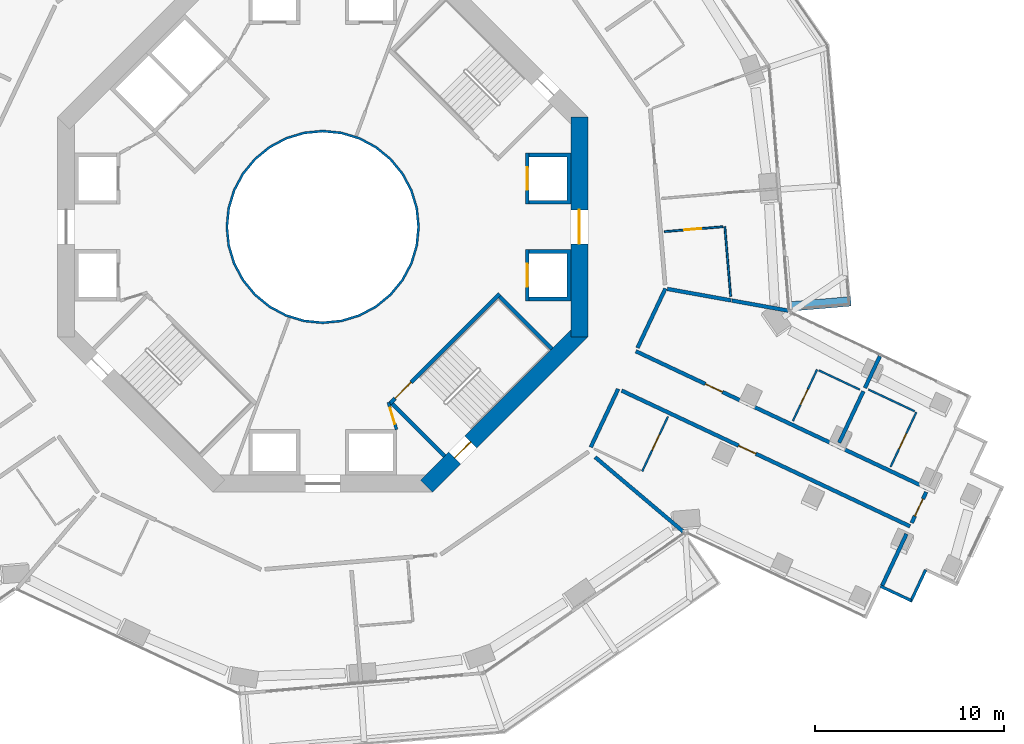
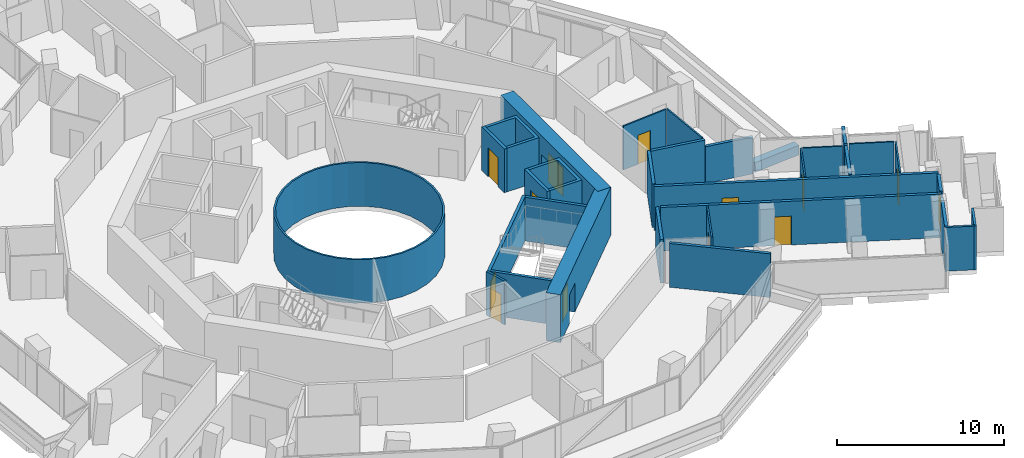
# One storey, part 20 of 26: 32 walls, 13 doors, 13 openings.
"""IFC4 building model written with IfcOpenShell, lengths in metres."""

from ifc_helpers import new_model, si_unit, direction, frame, frame_2d, origin, place, context, subcontext, project, spatial, polyline, rectangle, outline, extrude, material, layer, layer_set, type_object, element, fill, save


model = new_model("IFC4")

# Units and contexts
model_context = context("Model", 3, precision=1e-05, world=origin(), true_north=direction((0.0, 1.0)))
body_context = subcontext(model_context, "Body", "Model", "MODEL_VIEW")
ifc_project = project(units=[si_unit("LENGTHUNIT", "METRE"), si_unit("AREAUNIT", "SQUARE_METRE"), si_unit("VOLUMEUNIT", "CUBIC_METRE"), si_unit("PLANEANGLEUNIT", "RADIAN"), si_unit("MASSUNIT", "GRAM", prefix="KILO")], contexts=[model_context])

# Site, building, storey
site_placement = place(None, origin())
site = spatial("IfcSite", under=ifc_project, at=site_placement, CompositionType="ELEMENT")
building_placement = place(site_placement, origin())
building = spatial("IfcBuilding", under=site, at=building_placement, Name="Verdalira Terraces Hotel", CompositionType="ELEMENT")
storey_placement = place(building_placement, frame((0.0, 0.0, 53.0)))
storey = spatial("IfcBuildingStorey", under=building, at=storey_placement, Name="L11", CompositionType="ELEMENT", Elevation=53.0)

# Walls
ifc_material_1 = material(Name="Fire-resisting glass EI 180", Category="glass")
ifc_layer_1 = layer(ifc_material_1, 0.1201171875)
ifc_layer_set_1 = layer_set([ifc_layer_1], Name="Atrium fire screen 120 mm")
wall_type_1 = type_object("IfcWallType", Name="Atrium fire screen 120 mm", PredefinedType="SOLIDWALL", material=ifc_layer_set_1)
wall_1_placement = place(storey_placement, origin())
element("IfcWall", 1, at=wall_1_placement, inside=storey, type_object=wall_type_1, Name="Atrium fire screen", PredefinedType="SOLIDWALL", context=body_context, shape_type="SweptSolid", body=[
    extrude(outline(polyline([(5.021484, -0.998779), (4.730225, -1.959229), (4.25708, -2.844482), (3.620361, -3.620361), (2.844482, -4.25708), (1.959229, -4.730225), (0.998779, -5.021484), (0.0, -5.120117), (-0.998779, -5.021484), (-1.959229, -4.730225), (-2.844482, -4.25708), (-3.620361, -3.620361), (-4.25708, -2.844482), (-4.730225, -1.959229), (-5.021484, -0.998779), (-5.120117, 0.0), (-5.021484, 0.998779), (-4.730225, 1.959229), (-4.25708, 2.844482), (-3.620361, 3.620361), (-2.844482, 4.25708), (-1.959229, 4.730225), (-0.998779, 5.021484), (0.0, 5.120117), (0.998779, 5.021484), (1.959229, 4.730225), (2.844482, 4.25708), (3.620361, 3.620361), (4.25708, 2.844482), (4.730225, 1.959229), (5.021484, 0.998779), (5.120117, 0.0), (5.021484, -0.998779)]), holes=[polyline([(4.903809, 0.975586), (4.619385, 1.91333), (4.157227, 2.777832), (3.5354, 3.5354), (2.777832, 4.157227), (1.91333, 4.619385), (0.975586, 4.903809), (0.0, 5.0), (-0.975586, 4.903809), (-1.91333, 4.619385), (-2.777832, 4.157227), (-3.5354, 3.5354), (-4.157227, 2.777832), (-4.619385, 1.91333), (-4.903809, 0.975586), (-5.0, 0.0), (-4.903809, -0.975586), (-4.619385, -1.91333), (-4.157227, -2.777832), (-3.5354, -3.5354), (-2.777832, -4.157227), (-1.91333, -4.619385), (-0.975586, -4.903809), (0.0, -5.0), (0.975586, -4.903809), (1.91333, -4.619385), (2.777832, -4.157227), (3.5354, -3.5354), (4.157227, -2.777832), (4.619385, -1.91333), (4.903809, -0.975586), (5.0, 0.0), (4.903809, 0.975586)])]), origin(), (0.0, 0.0, 1.0), 3.189941),
])
ifc_material_2 = material(Name="Concrete C40", Category="concrete")
ifc_layer_2 = layer(ifc_material_2, 0.5)
ifc_layer_set_2 = layer_set([ifc_layer_2], Name="Balcony planter trough with tree")
wall_type_2 = type_object("IfcWallType", Name="Balcony planter trough with tree", PredefinedType="SOLIDWALL", material=ifc_layer_set_2)
wall_2_placement = place(storey_placement, frame((24.697266, -4.197998, 0.0), z_axis=(0.0, 0.0, 1.0), x_axis=(0.996495576, 0.083645489, 0.0)))
element("IfcWall", 2, at=wall_2_placement, inside=storey, type_object=wall_type_2, Name="Balcony planter", PredefinedType="SOLIDWALL", context=body_context, shape_type="SweptSolid", body=[
    extrude(rectangle(XDim=3.198975, YDim=0.5, at=frame_2d((1.599609, 0.0))), origin(), (0.0, 0.0, 1.0), 0.699951),
])

# Wall, opening, door
ifc_material_3 = material(Name="Moisture-resistant gypsum board partition")
ifc_layer_3 = layer(ifc_material_3, 0.10009765625)
ifc_layer_set_3 = layer_set([ifc_layer_3], Name="Bathroom partition 100 mm")
wall_type_3 = type_object("IfcWallType", Name="Bathroom partition 100 mm", PredefinedType="PARTITIONING", material=ifc_layer_set_3)
wall_3_placement = place(storey_placement, frame((16.866699, -12.910156, 0.0), z_axis=(0.0, 0.0, 1.0), x_axis=(0.425786014, 0.904823889, 0.0)))
wall_3 = element("IfcWall", 3, at=wall_3_placement, inside=storey, type_object=wall_type_3, Name="Bathroom partition", PredefinedType="PARTITIONING", context=body_context, shape_type="SweptSolid", body=[
    extrude(rectangle(XDim=3.200195, YDim=0.100098, at=frame_2d((1.600098, 0.0))), origin(), (0.0, 0.0, 1.0), 3.189941),
])
opening_1_placement = place(wall_3_placement, frame((1.25, 0.0, 0.0)))
opening_1 = element("IfcOpeningElement", 4, at=opening_1_placement, cuts=wall_3, Name="Opening L11-126", PredefinedType="OPENING", context=body_context, shape_type="SweptSolid", body=[
    extrude(rectangle(XDim=0.899902, YDim=2.100098, at=frame_2d((0.449951, 1.050049))), frame((0.0, 0.060059, 0.0), z_axis=(0.0, -1.0, 0.0), x_axis=(1.0, 0.0, 0.0)), (0.0, 0.0, 1.0), 0.120117),
])
ifc_material_4 = material(Name="Timber door", Category="wood")
door_type_1 = type_object("IfcDoorType", Name="Bathroom door 900 x 2100", OperationType="NOTDEFINED", PredefinedType="DOOR", material=ifc_material_4)
door_1_placement = place(opening_1_placement, origin())
door_1 = element("IfcDoor", 5, at=door_1_placement, inside=storey, type_object=door_type_1, Name="Bathroom door 1111", OperationType="SINGLE_SWING_LEFT", OverallHeight=2.10009765625, OverallWidth=0.89990234375, PredefinedType="DOOR", context=body_context, shape_type="SweptSolid", body=[
    extrude(rectangle(XDim=0.899902, YDim=2.100098, at=frame_2d((0.449951, 1.050049))), frame((0.0, 0.024902, 0.0), z_axis=(0.0, -1.0, 0.0), x_axis=(1.0, 0.0, 0.0)), (0.0, 0.0, 1.0), 0.050049),
])
fill(opening_1, door_1)

wall_4_placement = place(storey_placement, frame((21.131592, 0.01001, 0.0), z_axis=(0.0, 0.0, 1.0), x_axis=(-0.996489589, -0.083716781, 0.0)))
wall_4 = element("IfcWall", 6, at=wall_4_placement, inside=storey, type_object=wall_type_3, Name="Bathroom partition", PredefinedType="PARTITIONING", context=body_context, shape_type="SweptSolid", body=[
    extrude(rectangle(XDim=3.100098, YDim=0.100098, at=frame_2d((1.550049, 0.0))), origin(), (0.0, 0.0, 1.0), 3.189941),
])
opening_2_placement = place(wall_4_placement, frame((1.149902, 0.0, 0.0)))
opening_2 = element("IfcOpeningElement", 7, at=opening_2_placement, cuts=wall_4, Name="Opening L11-135", PredefinedType="OPENING", context=body_context, shape_type="SweptSolid", body=[
    extrude(rectangle(XDim=0.899902, YDim=2.100098, at=frame_2d((0.449951, 1.050049))), frame((0.0, 0.060059, 0.0), z_axis=(0.0, -1.0, 0.0), x_axis=(1.0, 0.0, 0.0)), (0.0, 0.0, 1.0), 0.120117),
])
door_2_placement = place(opening_2_placement, origin())
door_2 = element("IfcDoor", 8, at=door_2_placement, inside=storey, type_object=door_type_1, Name="Bathroom door 1114", OperationType="SINGLE_SWING_LEFT", OverallHeight=2.10009765625, OverallWidth=0.89990234375, PredefinedType="DOOR", context=body_context, shape_type="SweptSolid", body=[
    extrude(rectangle(XDim=0.899902, YDim=2.100098, at=frame_2d((0.449951, 1.050049))), frame((0.0, 0.024902, 0.0), z_axis=(0.0, -1.0, 0.0), x_axis=(1.0, 0.0, 0.0)), (0.0, 0.0, 1.0), 0.050049),
])
fill(opening_2, door_2)

# Wall
wall_5_placement = place(storey_placement, frame((21.54126, -3.672607, 0.0), z_axis=(0.0, 0.0, 1.0), x_axis=(-0.083710967, 0.996490077, 0.0)))
element("IfcWall", 9, at=wall_5_placement, inside=storey, type_object=wall_type_3, Name="Bathroom partition", PredefinedType="PARTITIONING", context=body_context, shape_type="SweptSolid", body=[
    extrude(rectangle(XDim=3.703857, YDim=0.100098, at=frame_2d((1.852051, 0.0))), origin(), (0.0, 0.0, 1.0), 3.189941),
])

# Wall, opening, door
wall_6_placement = place(storey_placement, frame((26.102539, -7.530518, 0.0), z_axis=(0.0, 0.0, 1.0), x_axis=(-0.425765684, -0.904833456, 0.0)))
wall_6 = element("IfcWall", 10, at=wall_6_placement, inside=storey, type_object=wall_type_3, Name="Bathroom partition", PredefinedType="PARTITIONING", context=body_context, shape_type="SweptSolid", body=[
    extrude(rectangle(XDim=3.0, YDim=0.100098, at=frame_2d((1.5, 0.0))), origin(), (0.0, 0.0, 1.0), 3.189941),
])
opening_3_placement = place(wall_6_placement, frame((1.149902, 0.0, 0.0)))
opening_3 = element("IfcOpeningElement", 11, at=opening_3_placement, cuts=wall_6, Name="Opening L11-131", PredefinedType="OPENING", context=body_context, shape_type="SweptSolid", body=[
    extrude(rectangle(XDim=0.899902, YDim=2.100098, at=frame_2d((0.449951, 1.050049))), frame((0.0, 0.060059, 0.0), z_axis=(0.0, -1.0, 0.0), x_axis=(1.0, 0.0, 0.0)), (0.0, 0.0, 1.0), 0.120117),
])
door_3_placement = place(opening_3_placement, origin())
door_3 = element("IfcDoor", 12, at=door_3_placement, inside=storey, type_object=door_type_1, Name="Bathroom door 1113", OperationType="SINGLE_SWING_LEFT", OverallHeight=2.10009765625, OverallWidth=0.89990234375, PredefinedType="DOOR", context=body_context, shape_type="SweptSolid", body=[
    extrude(rectangle(XDim=0.899902, YDim=2.100098, at=frame_2d((0.449951, 1.050049))), frame((0.0, 0.024902, 0.0), z_axis=(0.0, -1.0, 0.0), x_axis=(1.0, 0.0, 0.0)), (0.0, 0.0, 1.0), 0.050049),
])
fill(opening_3, door_3)

# Walls
wall_7_placement = place(storey_placement, frame((26.193115, -7.573242, 0.0), z_axis=(0.0, 0.0, 1.0), x_axis=(0.904795646, -0.425846028, 0.0)))
element("IfcWall", 13, at=wall_7_placement, inside=storey, type_object=wall_type_3, Name="Bathroom partition", PredefinedType="PARTITIONING", context=body_context, shape_type="SweptSolid", body=[
    extrude(rectangle(XDim=2.399902, YDim=0.100098, at=frame_2d((1.199951, 0.0))), origin(), (0.0, 0.0, 1.0), 3.189941),
])
wall_8_placement = place(storey_placement, frame((31.254639, -9.733887, 0.0), z_axis=(0.0, 0.0, 1.0), x_axis=(-0.904843294, 0.425744776, 0.0)))
element("IfcWall", 14, at=wall_8_placement, inside=storey, type_object=wall_type_3, Name="Bathroom partition", PredefinedType="PARTITIONING", context=body_context, shape_type="SweptSolid", body=[
    extrude(rectangle(XDim=2.699707, YDim=0.100098, at=frame_2d((1.349854, 0.0))), origin(), (0.0, 0.0, 1.0), 3.189941),
])

# Wall, opening, door
wall_9_placement = place(storey_placement, frame((29.982666, -12.672119, 0.0), z_axis=(0.0, 0.0, 1.0), x_axis=(0.425786014, 0.904823889, 0.0)))
wall_9 = element("IfcWall", 15, at=wall_9_placement, inside=storey, type_object=wall_type_3, Name="Bathroom partition", PredefinedType="PARTITIONING", context=body_context, shape_type="SweptSolid", body=[
    extrude(rectangle(XDim=3.200195, YDim=0.100098, at=frame_2d((1.600098, 0.0))), origin(), (0.0, 0.0, 1.0), 3.189941),
])
opening_4_placement = place(wall_9_placement, frame((1.050049, 0.0, 0.0)))
opening_4 = element("IfcOpeningElement", 16, at=opening_4_placement, cuts=wall_9, Name="Opening L11-129", PredefinedType="OPENING", context=body_context, shape_type="SweptSolid", body=[
    extrude(rectangle(XDim=0.899902, YDim=2.100098, at=frame_2d((0.449951, 1.050049))), frame((0.0, 0.060059, 0.0), z_axis=(0.0, -1.0, 0.0), x_axis=(1.0, 0.0, 0.0)), (0.0, 0.0, 1.0), 0.120117),
])
door_4_placement = place(opening_4_placement, origin())
door_4 = element("IfcDoor", 17, at=door_4_placement, inside=storey, type_object=door_type_1, Name="Bathroom door 1112", OperationType="SINGLE_SWING_RIGHT", OverallHeight=2.10009765625, OverallWidth=0.89990234375, PredefinedType="DOOR", context=body_context, shape_type="SweptSolid", body=[
    extrude(rectangle(XDim=0.899902, YDim=2.100098, at=frame_2d((0.449951, 1.050049))), frame((0.0, 0.024902, 0.0), z_axis=(0.0, -1.0, 0.0), x_axis=(1.0, 0.0, 0.0)), (0.0, 0.0, 1.0), 0.050049),
])
fill(opening_4, door_4)

# Wall
ifc_material_5 = material(Name="Concrete C50", Category="concrete")
ifc_layer_4 = layer(ifc_material_5, 0.199951171875)
ifc_layer_set_4 = layer_set([ifc_layer_4], Name="Core RC wall 200 C50")
wall_type_4 = type_object("IfcWallType", Name="Core RC wall 200 C50", PredefinedType="SOLIDWALL", material=ifc_layer_set_4)
wall_10_placement = place(storey_placement, origin())
element("IfcWall", 18, at=wall_10_placement, inside=storey, type_object=wall_type_4, Name="L11 shaft wall E1", PredefinedType="SOLIDWALL", context=body_context, shape_type="SweptSolid", body=[
    extrude(outline(polyline([(13.100098, -3.899902), (10.899902, -3.899902), (10.899902, -3.699951), (12.899902, -3.699951), (12.899902, -1.399902), (10.899902, -1.399902), (10.899902, -1.199951), (13.100098, -1.199951), (13.100098, -3.899902)])), origin(), (0.0, 0.0, 1.0), 3.189941),
])

# Wall, opening, door
wall_11_placement = place(storey_placement, frame((10.800049, -1.199951, 0.0), z_axis=(0.0, 0.0, 1.0), x_axis=(0.0, -1.0, 0.0)))
wall_11 = element("IfcWall", 19, at=wall_11_placement, inside=storey, type_object=wall_type_4, Name="L11 shaft front wall E1", PredefinedType="SOLIDWALL", context=body_context, shape_type="SweptSolid", body=[
    extrude(rectangle(XDim=2.699951, YDim=0.199951, at=frame_2d((1.350098, 0.0))), origin(), (0.0, 0.0, 1.0), 3.189941),
])
opening_5_placement = place(wall_11_placement, frame((0.75, 0.0, 0.0)))
opening_5 = element("IfcOpeningElement", 20, at=opening_5_placement, cuts=wall_11, Name="Opening LD-L11-801", PredefinedType="OPENING", context=body_context, shape_type="SweptSolid", body=[
    extrude(rectangle(XDim=1.199951, YDim=2.100098, at=frame_2d((0.600098, 1.050049))), frame((0.0, 0.109863, 0.0), z_axis=(0.0, -1.0, 0.0), x_axis=(1.0, 0.0, 0.0)), (0.0, 0.0, 1.0), 0.219971),
])
ifc_material_6 = material(Name="Stainless steel", Category="steel")
door_type_2 = type_object("IfcDoorType", Name="Landing door 1200 x 2100", OperationType="NOTDEFINED", PredefinedType="DOOR", material=ifc_material_6)
door_5_placement = place(opening_5_placement, origin())
door_5 = element("IfcDoor", 21, at=door_5_placement, inside=storey, type_object=door_type_2, Name="Lift landing door LR1 L11", OperationType="DOUBLE_DOOR_SLIDING", OverallHeight=2.10009765625, OverallWidth=1.199951171875, PredefinedType="DOOR", context=body_context, shape_type="SweptSolid", body=[
    extrude(rectangle(XDim=1.199951, YDim=2.100098, at=frame_2d((0.600098, 1.050049))), frame((0.0, 0.024902, 0.0), z_axis=(0.0, -1.0, 0.0), x_axis=(1.0, 0.0, 0.0)), (0.0, 0.0, 1.0), 0.050049),
])
fill(opening_5, door_5)

# Wall
wall_12_placement = place(storey_placement, origin())
element("IfcWall", 22, at=wall_12_placement, inside=storey, type_object=wall_type_4, Name="L11 shaft wall E2", PredefinedType="SOLIDWALL", context=body_context, shape_type="SweptSolid", body=[
    extrude(outline(polyline([(13.100098, 3.899902), (13.100098, 1.199951), (10.899902, 1.199951), (10.899902, 1.399902), (12.899902, 1.399902), (12.899902, 3.699951), (10.899902, 3.699951), (10.899902, 3.899902), (13.100098, 3.899902)])), origin(), (0.0, 0.0, 1.0), 3.189941),
])

# Wall, opening, door
wall_13_placement = place(storey_placement, frame((10.800049, 1.199951, 0.0), z_axis=(0.0, 0.0, 1.0), x_axis=(0.0, 1.0, 0.0)))
wall_13 = element("IfcWall", 23, at=wall_13_placement, inside=storey, type_object=wall_type_4, Name="L11 shaft front wall E2", PredefinedType="SOLIDWALL", context=body_context, shape_type="SweptSolid", body=[
    extrude(rectangle(XDim=2.699951, YDim=0.199951, at=frame_2d((1.350098, 0.0))), origin(), (0.0, 0.0, 1.0), 3.189941),
])
opening_6_placement = place(wall_13_placement, frame((0.75, 0.0, 0.0)))
opening_6 = element("IfcOpeningElement", 24, at=opening_6_placement, cuts=wall_13, Name="Opening LD-L11-802", PredefinedType="OPENING", context=body_context, shape_type="SweptSolid", body=[
    extrude(rectangle(XDim=1.199951, YDim=2.100098, at=frame_2d((0.600098, 1.050049))), frame((0.0, 0.109863, 0.0), z_axis=(0.0, -1.0, 0.0), x_axis=(1.0, 0.0, 0.0)), (0.0, 0.0, 1.0), 0.219971),
])
door_6_placement = place(opening_6_placement, origin())
door_6 = element("IfcDoor", 25, at=door_6_placement, inside=storey, type_object=door_type_2, Name="Lift landing door LR2 L11", OperationType="DOUBLE_DOOR_SLIDING", OverallHeight=2.10009765625, OverallWidth=1.199951171875, PredefinedType="DOOR", context=body_context, shape_type="SweptSolid", body=[
    extrude(rectangle(XDim=1.199951, YDim=2.100098, at=frame_2d((0.600098, 1.050049))), frame((0.0, 0.024902, 0.0), z_axis=(0.0, -1.0, 0.0), x_axis=(1.0, 0.0, 0.0)), (0.0, 0.0, 1.0), 0.050049),
])
fill(opening_6, door_6)

wall_14_placement = place(storey_placement, frame((9.33374, -3.5354, 0.0), z_axis=(0.0, 0.0, 1.0), x_axis=(-0.707106781, -0.707106781, 0.0)))
wall_14 = element("IfcWall", 26, at=wall_14_placement, inside=storey, type_object=wall_type_4, Name="L11 stair ST3 front wall", PredefinedType="SOLIDWALL", context=body_context, shape_type="SweptSolid", body=[
    extrude(rectangle(XDim=8.200195, YDim=0.199951, at=frame_2d((4.100098, 0.0))), origin(), (0.0, 0.0, 1.0), 3.189941),
])
opening_7_placement = place(wall_14_placement, frame((6.600098, 0.0, 0.0)))
opening_7 = element("IfcOpeningElement", 27, at=opening_7_placement, cuts=wall_14, Name="Opening L11-811", PredefinedType="OPENING", context=body_context, shape_type="SweptSolid", body=[
    extrude(rectangle(XDim=1.199951, YDim=2.100098, at=frame_2d((0.600098, 1.050049))), frame((0.0, 0.109863, 0.0), z_axis=(0.0, -1.0, 0.0), x_axis=(1.0, 0.0, 0.0)), (0.0, 0.0, 1.0), 0.219971),
])
ifc_material_7 = material(Name="Steel fire door", Category="steel")
door_type_3 = type_object("IfcDoorType", Name="Stair door 1200 x 2100", OperationType="NOTDEFINED", PredefinedType="DOOR", material=ifc_material_7)
door_7_placement = place(opening_7_placement, origin())
door_7 = element("IfcDoor", 28, at=door_7_placement, inside=storey, type_object=door_type_3, Name="Stair door ST3 L11", OperationType="SINGLE_SWING_RIGHT", OverallHeight=2.10009765625, OverallWidth=1.199951171875, PredefinedType="DOOR", context=body_context, shape_type="SweptSolid", body=[
    extrude(rectangle(XDim=1.199951, YDim=2.100098, at=frame_2d((0.600098, 1.050049))), frame((0.0, 0.024902, 0.0), z_axis=(0.0, -1.0, 0.0), x_axis=(1.0, 0.0, 0.0)), (0.0, 0.0, 1.0), 0.050049),
])
fill(opening_7, door_7)

# Walls
for number, where, z_axis, x_axis, name in (
    (29, (3.677002, -9.33374, 0.0), (0.0, 0.0, 1.0), (0.707106781, -0.707106781, 0.0), "L11 stair ST3 end wall 1"),
    (30, (9.33374, -3.677002, 0.0), (0.0, 0.0, 1.0), (0.707106781, -0.707106781, 0.0), "L11 stair ST3 end wall 2"),
):
    element("IfcWall", number, at=place(storey_placement, frame(where, z_axis=z_axis, x_axis=x_axis)), inside=storey, type_object=wall_type_4, Name=name, PredefinedType="SOLIDWALL", context=body_context, shape_type="SweptSolid", body=[
        extrude(rectangle(XDim=3.900146, YDim=0.199951, at=frame_2d((1.950195, 0.0))), origin(), (0.0, 0.0, 1.0), 3.189941),
    ])

# Wall, opening, door
ifc_material_8 = material(Name="Gypsum board partition")
ifc_layer_5 = layer(ifc_material_8, 0.14990234375)
ifc_layer_set_5 = layer_set([ifc_layer_5], Name="Core partition 150 mm")
wall_type_5 = type_object("IfcWallType", Name="Core partition 150 mm", PredefinedType="PARTITIONING", material=ifc_layer_set_5)
wall_15_placement = place(storey_placement, frame((3.899902, -10.699951, 0.0), z_axis=(0.0, 0.0, 1.0), x_axis=(-0.289808785, 0.957084567, 0.0)))
wall_15 = element("IfcWall", 31, at=wall_15_placement, inside=storey, type_object=wall_type_5, Name="Room partition L11", PredefinedType="PARTITIONING", context=body_context, shape_type="SweptSolid", body=[
    extrude(rectangle(XDim=1.501221, YDim=0.149902, at=frame_2d((0.750488, 0.0))), origin(), (0.0, 0.0, 1.0), 3.189941),
])
opening_8_placement = place(wall_15_placement, frame((0.300781, 0.0, 0.0)))
opening_8 = element("IfcOpeningElement", 32, at=opening_8_placement, cuts=wall_15, Name="Opening L11-823", PredefinedType="OPENING", context=body_context, shape_type="SweptSolid", body=[
    extrude(rectangle(XDim=0.899902, YDim=2.100098, at=frame_2d((0.449951, 1.050049))), frame((0.0, 0.084961, 0.0), z_axis=(0.0, -1.0, 0.0), x_axis=(1.0, 0.0, 0.0)), (0.0, 0.0, 1.0), 0.169922),
])
ifc_material_9 = material(Name="Steel fire door", Category="steel")
door_type_4 = type_object("IfcDoorType", Name="Core room door 900 x 2100", OperationType="NOTDEFINED", PredefinedType="DOOR", material=ifc_material_9)
door_8_placement = place(opening_8_placement, origin())
door_8 = element("IfcDoor", 33, at=door_8_placement, inside=storey, type_object=door_type_4, Name="Door L11 room6", OperationType="SINGLE_SWING_LEFT", OverallHeight=2.10009765625, OverallWidth=0.89990234375, PredefinedType="DOOR", context=body_context, shape_type="SweptSolid", body=[
    extrude(rectangle(XDim=0.899902, YDim=2.100098, at=frame_2d((0.449951, 1.050049))), frame((0.0, 0.024902, 0.0), z_axis=(0.0, -1.0, 0.0), x_axis=(1.0, 0.0, 0.0)), (0.0, 0.0, 1.0), 0.050049),
])
fill(opening_8, door_8)

ifc_material_10 = material(Name="Concrete C70", Category="concrete")
ifc_layer_6 = layer(ifc_material_10, 0.89990234375)
ifc_layer_set_6 = layer_set([ifc_layer_6], Name="Core wall 900 C70")
wall_type_6 = type_object("IfcWallType", Name="Core wall 900 C70", PredefinedType="SHEAR", material=ifc_layer_set_6)
wall_16_placement = place(storey_placement, frame((13.550049, -5.799072, 0.0), z_axis=(0.0, 0.0, 1.0), x_axis=(0.0, 1.0, 0.0)))
wall_16 = element("IfcWall", 34, at=wall_16_placement, inside=storey, type_object=wall_type_6, Name="Core wall CW-L11-1", PredefinedType="SHEAR", context=body_context, shape_type="SweptSolid", body=[
    extrude(rectangle(XDim=11.598145, YDim=0.899902, at=frame_2d((5.799072, 0.0))), origin(), (0.0, 0.0, 1.0), 3.5),
])
opening_9_placement = place(wall_16_placement, frame((4.898926, 0.0, 0.0)))
opening_9 = element("IfcOpeningElement", 35, at=opening_9_placement, cuts=wall_16, Name="Opening L11-812", PredefinedType="OPENING", context=body_context, shape_type="SweptSolid", body=[
    extrude(rectangle(XDim=1.800049, YDim=2.100098, at=frame_2d((0.899902, 1.050049))), frame((0.0, 0.459961, 0.0), z_axis=(0.0, -1.0, 0.0), x_axis=(1.0, 0.0, 0.0)), (0.0, 0.0, 1.0), 0.919922),
])
ifc_material_11 = material(Name="Steel fire door", Category="steel")
door_type_5 = type_object("IfcDoorType", Name="Core entry door pair 1800 x 2100", OperationType="NOTDEFINED", PredefinedType="DOOR", material=ifc_material_11)
door_9_placement = place(opening_9_placement, origin())
door_9 = element("IfcDoor", 36, at=door_9_placement, inside=storey, type_object=door_type_5, Name="Core entry door L11 0", OperationType="DOUBLE_DOOR_SINGLE_SWING", OverallHeight=2.10009765625, OverallWidth=1.800048828125, PredefinedType="DOOR", context=body_context, shape_type="SweptSolid", body=[
    extrude(rectangle(XDim=1.800049, YDim=2.100098, at=frame_2d((0.899902, 1.050049))), frame((0.0, 0.024902, 0.0), z_axis=(0.0, -1.0, 0.0), x_axis=(1.0, 0.0, 0.0)), (0.0, 0.0, 1.0), 0.050049),
])
fill(opening_9, door_9)

wall_17_placement = place(storey_placement, frame((5.480713, -13.681885, 0.0), z_axis=(0.0, 0.0, 1.0), x_axis=(0.707106781, 0.707106781, 0.0)))
wall_17 = element("IfcWall", 37, at=wall_17_placement, inside=storey, type_object=wall_type_6, Name="Core wall CW-L11-8", PredefinedType="SHEAR", context=body_context, shape_type="SweptSolid", body=[
    extrude(rectangle(XDim=11.598145, YDim=0.899902, at=frame_2d((5.799072, 0.0))), origin(), (0.0, 0.0, 1.0), 3.5),
])
opening_10_placement = place(wall_17_placement, frame((2.099121, 0.0, 0.0)))
opening_10 = element("IfcOpeningElement", 38, at=opening_10_placement, cuts=wall_17, Name="Opening L11-818", PredefinedType="OPENING", context=body_context, shape_type="SweptSolid", body=[
    extrude(rectangle(XDim=1.199951, YDim=2.100098, at=frame_2d((0.600098, 1.050049))), frame((0.0, 0.459961, 0.0), z_axis=(0.0, -1.0, 0.0), x_axis=(1.0, 0.0, 0.0)), (0.0, 0.0, 1.0), 0.919922),
])
door_10_placement = place(opening_10_placement, origin())
door_10 = element("IfcDoor", 39, at=door_10_placement, inside=storey, type_object=door_type_3, Name="Stair exit door ST3 L11", OperationType="SINGLE_SWING_LEFT", OverallHeight=2.10009765625, OverallWidth=1.199951171875, PredefinedType="DOOR", context=body_context, shape_type="SweptSolid", body=[
    extrude(rectangle(XDim=1.199951, YDim=2.100098, at=frame_2d((0.600098, 1.050049))), frame((0.0, 0.024902, 0.0), z_axis=(0.0, -1.0, 0.0), x_axis=(1.0, 0.0, 0.0)), (0.0, 0.0, 1.0), 0.050049),
])
fill(opening_10, door_10)

# Walls
ifc_material_12 = material(Name="Fire-rated gypsum board wall")
ifc_layer_7 = layer(ifc_material_12, 0.199951171875)
ifc_layer_set_7 = layer_set([ifc_layer_7], Name="Demising wall 200 mm")
wall_type_7 = type_object("IfcWallType", Name="Demising wall 200 mm", PredefinedType="SOLIDWALL", material=ifc_layer_set_7)
wall_18_placement = place(storey_placement, frame((14.383789, -12.155273, 0.0), z_axis=(0.0, 0.0, 1.0), x_axis=(0.763790865, -0.645463798, 0.0)))
element("IfcWall", 40, at=wall_18_placement, inside=storey, type_object=wall_type_7, Name="Demising wall", PredefinedType="SOLIDWALL", context=body_context, shape_type="SweptSolid", body=[
    extrude(rectangle(XDim=6.13208, YDim=0.199951, at=frame_2d((3.065918, 0.0))), origin(), (0.0, 0.0, 1.0), 3.189941),
])
wall_19_placement = place(storey_placement, frame((18.196045, -3.273926, 0.0), z_axis=(0.0, 0.0, 1.0), x_axis=(0.984190545, -0.177112877, 0.0)))
element("IfcWall", 41, at=wall_19_placement, inside=storey, type_object=wall_type_7, Name="Demising wall", PredefinedType="SOLIDWALL", context=body_context, shape_type="SweptSolid", body=[
    extrude(rectangle(XDim=3.418457, YDim=0.199951, at=frame_2d((1.709229, 0.0))), origin(), (0.0, 0.0, 1.0), 3.189941),
])
wall_20_placement = place(storey_placement, frame((27.268311, -11.394775, 0.0), z_axis=(0.0, 0.0, 1.0), x_axis=(0.42574612, 0.904842661, 0.0)))
element("IfcWall", 42, at=wall_20_placement, inside=storey, type_object=wall_type_7, Name="Demising wall", PredefinedType="SOLIDWALL", context=body_context, shape_type="SweptSolid", body=[
    extrude(rectangle(XDim=3.001953, YDim=0.199951, at=frame_2d((1.500977, 0.0))), origin(), (0.0, 0.0, 1.0), 3.189941),
])
wall_21_placement = place(storey_placement, frame((28.630615, -8.499268, 0.0), z_axis=(0.0, 0.0, 1.0), x_axis=(0.4258161, 0.904809731, 0.0)))
element("IfcWall", 43, at=wall_21_placement, inside=storey, type_object=wall_type_7, Name="Demising wall", PredefinedType="SOLIDWALL", context=body_context, shape_type="SweptSolid", body=[
    extrude(rectangle(XDim=1.850098, YDim=0.199951, at=frame_2d((0.925049, 0.0))), origin(), (0.0, 0.0, 1.0), 3.189941),
])
wall_22_placement = place(storey_placement, frame((30.821045, -16.213379, 0.0), z_axis=(0.0, 0.0, 1.0), x_axis=(-0.425765732, -0.904833433, 0.0)))
element("IfcWall", 44, at=wall_22_placement, inside=storey, type_object=wall_type_7, Name="Demising wall", PredefinedType="SOLIDWALL", context=body_context, shape_type="SweptSolid", body=[
    extrude(rectangle(XDim=3.004639, YDim=0.199951, at=frame_2d((1.502441, 0.0))), origin(), (0.0, 0.0, 1.0), 3.189941),
])
ifc_material_13 = material(Name="Fire-rated gypsum board wall")
ifc_layer_8 = layer(ifc_material_13, 0.199951171875)
ifc_layer_set_8 = layer_set([ifc_layer_8], Name="Demising wall 200 mm to beam soffit")
wall_type_8 = type_object("IfcWallType", Name="Demising wall 200 mm to beam soffit", PredefinedType="SOLIDWALL", material=ifc_layer_set_8)
wall_23_placement = place(storey_placement, frame((21.605713, -3.887451, 0.0), z_axis=(0.0, 0.0, 1.0), x_axis=(0.984186151, -0.177137293, 0.0)))
element("IfcWall", 45, at=wall_23_placement, inside=storey, type_object=wall_type_8, Name="Demising wall", PredefinedType="SOLIDWALL", context=body_context, shape_type="SweptSolid", body=[
    extrude(rectangle(XDim=3.011475, YDim=0.199951, at=frame_2d((1.505859, 0.0))), origin(), (0.0, 0.0, 1.0), 2.689941),
])
ifc_material_14 = material(Name="Fire-rated gypsum board wall")
ifc_layer_9 = layer(ifc_material_14, 0.199951171875)
ifc_layer_set_9 = layer_set([ifc_layer_9], Name="Guest corridor wall 200 mm")
wall_type_9 = type_object("IfcWallType", Name="Guest corridor wall 200 mm", PredefinedType="SOLIDWALL", material=ifc_layer_set_9)
wall_24_placement = place(storey_placement, frame((14.1521, -11.632812, 0.0), z_axis=(0.0, 0.0, 1.0), x_axis=(0.425803952, 0.904815448, 0.0)))
element("IfcWall", 46, at=wall_24_placement, inside=storey, type_object=wall_type_9, Name="Guest corridor wall", PredefinedType="SOLIDWALL", context=body_context, shape_type="SweptSolid", body=[
    extrude(rectangle(XDim=3.400146, YDim=0.199951, at=frame_2d((1.700195, 0.0))), origin(), (0.0, 0.0, 1.0), 3.189941),
])
wall_25_placement = place(storey_placement, frame((16.621582, -6.38501, 0.0), z_axis=(0.0, 0.0, 1.0), x_axis=(0.425797036, 0.904818702, 0.0)))
element("IfcWall", 47, at=wall_25_placement, inside=storey, type_object=wall_type_9, Name="Guest corridor wall", PredefinedType="SOLIDWALL", context=body_context, shape_type="SweptSolid", body=[
    extrude(rectangle(XDim=3.458496, YDim=0.199951, at=frame_2d((1.729248, 0.0))), origin(), (0.0, 0.0, 1.0), 3.189941),
])

# Wall, opening, door
wall_26_placement = place(storey_placement, frame((31.011475, -15.808594, 0.0), z_axis=(0.0, 0.0, 1.0), x_axis=(-0.904825276, 0.425783066, 0.0)))
wall_26 = element("IfcWall", 48, at=wall_26_placement, inside=storey, type_object=wall_type_9, Name="Guest corridor wall", PredefinedType="SOLIDWALL", context=body_context, shape_type="SweptSolid", body=[
    extrude(rectangle(XDim=16.83252, YDim=0.199951, at=frame_2d((8.41626, 0.0))), origin(), (0.0, 0.0, 1.0), 3.189941),
])
opening_11_placement = place(wall_26_placement, frame((9.0, 0.0, 0.0)))
opening_11 = element("IfcOpeningElement", 49, at=opening_11_placement, cuts=wall_26, Name="Opening L11-125", PredefinedType="OPENING", context=body_context, shape_type="SweptSolid", body=[
    extrude(rectangle(XDim=1.0, YDim=2.100098, at=frame_2d((0.5, 1.050049))), frame((0.0, 0.109863, 0.0), z_axis=(0.0, -1.0, 0.0), x_axis=(1.0, 0.0, 0.0)), (0.0, 0.0, 1.0), 0.219971),
])
ifc_material_15 = material(Name="Timber fire door", Category="wood")
door_type_6 = type_object("IfcDoorType", Name="Guest entry door 1000 x 2100", OperationType="NOTDEFINED", PredefinedType="DOOR", material=ifc_material_15)
door_11_placement = place(opening_11_placement, origin())
door_11 = element("IfcDoor", 50, at=door_11_placement, inside=storey, type_object=door_type_6, Name="Guest entry door 1111", OperationType="SINGLE_SWING_LEFT", OverallHeight=2.10009765625, OverallWidth=1.0, PredefinedType="DOOR", context=body_context, shape_type="SweptSolid", body=[
    extrude(rectangle(XDim=1.0, YDim=2.100098, at=frame_2d((0.5, 1.050049))), frame((0.0, 0.024902, 0.0), z_axis=(0.0, -1.0, 0.0), x_axis=(1.0, 0.0, 0.0)), (0.0, 0.0, 1.0), 0.050049),
])
fill(opening_11, door_11)

wall_27_placement = place(storey_placement, frame((16.536621, -6.565918, 0.0), z_axis=(0.0, 0.0, 1.0), x_axis=(0.904826173, -0.42578116, 0.0)))
wall_27 = element("IfcWall", 51, at=wall_27_placement, inside=storey, type_object=wall_type_9, Name="Guest corridor wall", PredefinedType="SOLIDWALL", context=body_context, shape_type="SweptSolid", body=[
    extrude(rectangle(XDim=17.032715, YDim=0.199951, at=frame_2d((8.516357, 0.0))), origin(), (0.0, 0.0, 1.0), 3.189941),
])
opening_12_placement = place(wall_27_placement, frame((4.050049, 0.0, 0.0)))
opening_12 = element("IfcOpeningElement", 52, at=opening_12_placement, cuts=wall_27, Name="Opening L11-130", PredefinedType="OPENING", context=body_context, shape_type="SweptSolid", body=[
    extrude(rectangle(XDim=1.0, YDim=2.100098, at=frame_2d((0.5, 1.050049))), frame((0.0, 0.109863, 0.0), z_axis=(0.0, -1.0, 0.0), x_axis=(1.0, 0.0, 0.0)), (0.0, 0.0, 1.0), 0.219971),
])
door_12_placement = place(opening_12_placement, origin())
door_12 = element("IfcDoor", 53, at=door_12_placement, inside=storey, type_object=door_type_6, Name="Guest entry door 1113", OperationType="SINGLE_SWING_LEFT", OverallHeight=2.10009765625, OverallWidth=1.0, PredefinedType="DOOR", context=body_context, shape_type="SweptSolid", body=[
    extrude(rectangle(XDim=1.0, YDim=2.100098, at=frame_2d((0.5, 1.050049))), frame((0.0, 0.024902, 0.0), z_axis=(0.0, -1.0, 0.0), x_axis=(1.0, 0.0, 0.0)), (0.0, 0.0, 1.0), 0.050049),
])
fill(opening_12, door_12)

wall_28_placement = place(storey_placement, frame((31.864014, -13.99707, 0.0), z_axis=(0.0, 0.0, 1.0), x_axis=(-0.425868723, -0.904784964, 0.0)))
wall_28 = element("IfcWall", 54, at=wall_28_placement, inside=storey, type_object=wall_type_9, Name="Guest corridor wall", PredefinedType="SOLIDWALL", context=body_context, shape_type="SweptSolid", body=[
    extrude(rectangle(XDim=1.804199, YDim=0.199951, at=frame_2d((0.9021, 0.0))), origin(), (0.0, 0.0, 1.0), 3.189941),
])
opening_13_placement = place(wall_28_placement, frame((0.399902, 0.0, 0.0)))
opening_13 = element("IfcOpeningElement", 55, at=opening_13_placement, cuts=wall_28, Name="Opening L11-127", PredefinedType="OPENING", context=body_context, shape_type="SweptSolid", body=[
    extrude(rectangle(XDim=1.0, YDim=2.100098, at=frame_2d((0.5, 1.050049))), frame((0.0, 0.109863, 0.0), z_axis=(0.0, -1.0, 0.0), x_axis=(1.0, 0.0, 0.0)), (0.0, 0.0, 1.0), 0.219971),
])
door_13_placement = place(opening_13_placement, origin())
door_13 = element("IfcDoor", 56, at=door_13_placement, inside=storey, type_object=door_type_6, Name="Guest entry door 1112", OperationType="SINGLE_SWING_LEFT", OverallHeight=2.10009765625, OverallWidth=1.0, PredefinedType="DOOR", context=body_context, shape_type="SweptSolid", body=[
    extrude(rectangle(XDim=1.0, YDim=2.100098, at=frame_2d((0.5, 1.050049))), frame((0.0, 0.024902, 0.0), z_axis=(0.0, -1.0, 0.0), x_axis=(1.0, 0.0, 0.0)), (0.0, 0.0, 1.0), 0.050049),
])
fill(opening_13, door_13)

# Walls
ifc_material_16 = material(Name="Terracotta cladding", Category="masonry")
ifc_layer_10 = layer(ifc_material_16, 0.14990234375)
ifc_layer_set_10 = layer_set([ifc_layer_10], Name="Terracotta clad wall 150")
wall_type_10 = type_object("IfcWallType", Name="Terracotta clad wall 150", PredefinedType="SOLIDWALL", material=ifc_layer_set_10)
wall_29_placement = place(storey_placement, frame((29.442627, -18.966064, 0.0), z_axis=(0.0, 0.0, 1.0), x_axis=(0.904806408, -0.42582316, 0.0)))
element("IfcWall", 57, at=wall_29_placement, inside=storey, type_object=wall_type_10, Name="Terracotta cladding wall", PredefinedType="SOLIDWALL", context=body_context, shape_type="SweptSolid", body=[
    extrude(rectangle(XDim=1.800293, YDim=0.149902, at=frame_2d((0.900146, 0.0))), origin(), (0.0, 0.0, 1.0), 3.189941),
])
wall_30_placement = place(storey_placement, frame((31.039551, -19.800537, 0.0), z_axis=(0.0, 0.0, 1.0), x_axis=(0.425784495, 0.904824604, 0.0)))
element("IfcWall", 58, at=wall_30_placement, inside=storey, type_object=wall_type_10, Name="Terracotta cladding wall", PredefinedType="SOLIDWALL", context=body_context, shape_type="SweptSolid", body=[
    extrude(rectangle(XDim=1.875, YDim=0.149902, at=frame_2d((0.9375, 0.0))), origin(), (0.0, 0.0, 1.0), 3.189941),
])

save(model, "model.ifc")
